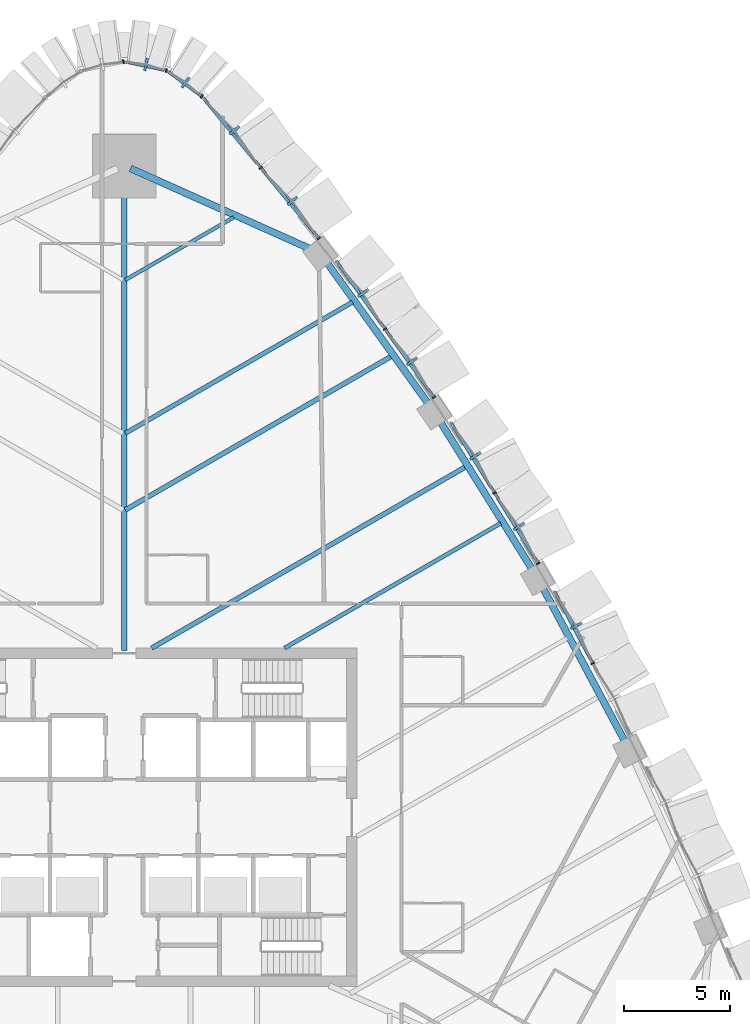
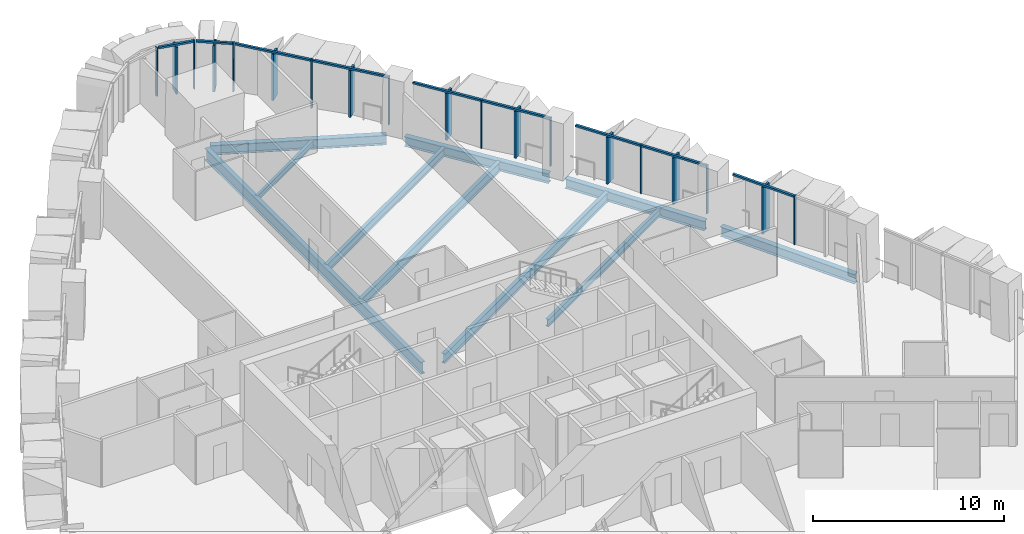
# One storey, part 7 of 22: 28 members, 10 beams, 7 elements without a shape of their own.
"""IFC4 building model written with IfcOpenShell, lengths in metres."""

from ifc_helpers import new_model, si_unit, direction, frame, origin, origin_2d, place, context, subcontext, project, spatial, rectangle, i_section, extrude, material, layer, layer_set, material_profile, profile_set, type_object, element, aggregate, save


model = new_model("IFC4")

# Units and contexts
model_context = context("Model", 3, precision=1e-05, world=origin(), true_north=direction((0.0, 1.0)))
body_context = subcontext(model_context, "Body", "Model", "MODEL_VIEW")
ifc_project = project(units=[si_unit("LENGTHUNIT", "METRE"), si_unit("AREAUNIT", "SQUARE_METRE"), si_unit("VOLUMEUNIT", "CUBIC_METRE"), si_unit("PLANEANGLEUNIT", "RADIAN"), si_unit("MASSUNIT", "GRAM", prefix="KILO")], contexts=[model_context])

# Site, building, storey
site_placement = place(None, origin())
site = spatial("IfcSite", under=ifc_project, at=site_placement, CompositionType="ELEMENT")
building_placement = place(site_placement, origin())
building = spatial("IfcBuilding", under=site, at=building_placement, Name="Sierra Prisma Convention Tower", CompositionType="ELEMENT")
storey_placement = place(building_placement, frame((0.0, 0.0, 66.5)))
storey = spatial("IfcBuildingStorey", under=building, at=storey_placement, Name="L12", CompositionType="ELEMENT", Elevation=66.5)

# Curtain wall, member
ifc_material_1 = material(Name="Aluminium and glass curtain wall", Category="aluminium")
ifc_layer = layer(ifc_material_1, 0.179931640625)
ifc_layer_set = layer_set([ifc_layer], Name="CW-2 Faceted crystal curtain wall")
curtain_wall_type = type_object("IfcCurtainWallType", Name="CW-2 Faceted crystal curtain wall", PredefinedType="NOTDEFINED", material=ifc_layer_set)
curtain_wall_1_placement = place(storey_placement, origin())
curtain_wall_1 = element("IfcCurtainWall", 1, at=curtain_wall_1_placement, inside=storey, type_object=curtain_wall_type, Name="CW-2 NE3 L12", PredefinedType="NOTDEFINED")
ifc_material_2 = material(Name="Aluminium 6063-T6 bronze anodised", Category="aluminium")
ifc_material_profile_1 = material_profile(ifc_material_2, rectangle(XDim=0.1201171875, YDim=0.60009765625, at=origin_2d()), Name="ALU RIDGE BLADE 120x600")
ifc_profile_set_1 = profile_set([ifc_material_profile_1], Name="Aluminium 6063-T6 bronze anodised")
member_type_1 = type_object("IfcMemberType", Name="CW hip bronze", PredefinedType="MULLION", material=ifc_profile_set_1)
member_1_placement = place(storey_placement, frame((21.37060546875, 9.052490234375, 0.0), z_axis=(0.0, 0.0, 1.0), x_axis=(-0.469078880468, 0.88315627377, 0.0)))
member_1 = element("IfcMember", 2, at=member_1_placement, type_object=member_type_1, Name="CW-2 ridge NE3.2", PredefinedType="MULLION", context=body_context, shape_type="SweptSolid", body=[
    extrude(rectangle(XDim=0.1201171875, YDim=0.60009765625, at=origin_2d()), origin(), (0.0, 0.0, 1.0), 2.97998046875),
])

# Curtain wall, members
curtain_wall_2_placement = place(storey_placement, origin())
curtain_wall_2 = element("IfcCurtainWall", 3, at=curtain_wall_2_placement, inside=storey, type_object=curtain_wall_type, Name="CW-2 NE4 L12", PredefinedType="NOTDEFINED")
member_2_placement = place(storey_placement, frame((18.6640625, 13.748046875, 0.0), z_axis=(0.0, 0.0, 1.0), x_axis=(-0.526936441893, 0.849904692425, 0.0)))
member_2 = element("IfcMember", 4, at=member_2_placement, type_object=member_type_1, Name="CW-2 ridge NE4.1", PredefinedType="MULLION", context=body_context, shape_type="SweptSolid", body=[
    extrude(rectangle(XDim=0.1201171875, YDim=0.60009765625, at=origin_2d()), origin(), (0.0, 0.0, 1.0), 2.97998046875),
])
member_3_placement = place(storey_placement, frame((16.597412109375, 17.081298828125, 0.0), z_axis=(0.0, 0.0, 1.0), x_axis=(-0.526936441893, 0.849904692425, 0.0)))
member_3 = element("IfcMember", 5, at=member_3_placement, type_object=member_type_1, Name="CW-2 ridge NE4.2", PredefinedType="MULLION", context=body_context, shape_type="SweptSolid", body=[
    extrude(rectangle(XDim=0.1201171875, YDim=0.60009765625, at=origin_2d()), origin(), (0.0, 0.0, 1.0), 2.97998046875),
])

curtain_wall_3_placement = place(storey_placement, origin())
curtain_wall_3 = element("IfcCurtainWall", 6, at=curtain_wall_3_placement, inside=storey, type_object=curtain_wall_type, Name="CW-2 NE5 L12", PredefinedType="NOTDEFINED")
member_4_placement = place(storey_placement, frame((13.60693359375, 21.5556640625, 0.0), z_axis=(0.0, 0.0, 1.0), x_axis=(-0.582447468357, 0.812868345185, 0.0)))
member_4 = element("IfcMember", 7, at=member_4_placement, type_object=member_type_1, Name="CW-2 ridge NE5.1", PredefinedType="MULLION", context=body_context, shape_type="SweptSolid", body=[
    extrude(rectangle(XDim=0.1201171875, YDim=0.60009765625, at=origin_2d()), origin(), (0.0, 0.0, 1.0), 2.97998046875),
])
member_5_placement = place(storey_placement, frame((11.29541015625, 24.78173828125, 0.0), z_axis=(0.0, 0.0, 1.0), x_axis=(-0.582447468357, 0.812868345185, 0.0)))
member_5 = element("IfcMember", 8, at=member_5_placement, type_object=member_type_1, Name="CW-2 ridge NE5.2", PredefinedType="MULLION", context=body_context, shape_type="SweptSolid", body=[
    extrude(rectangle(XDim=0.1201171875, YDim=0.60009765625, at=origin_2d()), origin(), (0.0, 0.0, 1.0), 2.97998046875),
])

curtain_wall_4_placement = place(storey_placement, origin())
curtain_wall_4 = element("IfcCurtainWall", 9, at=curtain_wall_4_placement, inside=storey, type_object=curtain_wall_type, Name="CW-2 NE6 L12", PredefinedType="NOTDEFINED")
member_6_placement = place(storey_placement, frame((7.956787109375, 29.136474609375, 0.0), z_axis=(0.0, 0.0, 1.0), x_axis=(-0.635364760097, 0.77221216102, 0.0)))
member_6 = element("IfcMember", 10, at=member_6_placement, type_object=member_type_1, Name="CW-2 ridge NE6.1", PredefinedType="MULLION", context=body_context, shape_type="SweptSolid", body=[
    extrude(rectangle(XDim=0.1201171875, YDim=0.60009765625, at=origin_2d()), origin(), (0.0, 0.0, 1.0), 2.97998046875),
])
member_7_placement = place(storey_placement, frame((5.215576171875, 32.468017578125, 0.0), z_axis=(0.0, 0.0, 1.0), x_axis=(-0.635364760097, 0.77221216102, 0.0)))
member_7 = element("IfcMember", 11, at=member_7_placement, type_object=member_type_1, Name="CW-2 ridge NE6.2", PredefinedType="MULLION", context=body_context, shape_type="SweptSolid", body=[
    extrude(rectangle(XDim=0.1201171875, YDim=0.60009765625, at=origin_2d()), origin(), (0.0, 0.0, 1.0), 2.97998046875),
])

# Curtain wall, member
curtain_wall_5_placement = place(storey_placement, origin())
curtain_wall_5 = element("IfcCurtainWall", 12, at=curtain_wall_5_placement, inside=storey, type_object=curtain_wall_type, Name="CW-2 N1 L12", PredefinedType="NOTDEFINED")
member_8_placement = place(storey_placement, frame((2.905517578125, 34.732177734375, 0.0), z_axis=(0.0, 0.0, 1.0), x_axis=(-0.804057675414, 0.594551305277, 0.0)))
member_8 = element("IfcMember", 13, at=member_8_placement, type_object=member_type_1, Name="CW-2 ridge N1.1", PredefinedType="MULLION", context=body_context, shape_type="SweptSolid", body=[
    extrude(rectangle(XDim=0.1201171875, YDim=0.60009765625, at=origin_2d()), origin(), (0.0, 0.0, 1.0), 2.97998046875),
])

curtain_wall_6_placement = place(storey_placement, origin())
curtain_wall_6 = element("IfcCurtainWall", 14, at=curtain_wall_6_placement, inside=storey, type_object=curtain_wall_type, Name="CW-2 N2 L12", PredefinedType="NOTDEFINED")
member_9_placement = place(storey_placement, frame((1.029541015625, 35.580078125, 0.0), z_axis=(0.0, 0.0, 1.0), x_axis=(-0.977562389271, 0.210646089646, 0.0)))
member_9 = element("IfcMember", 15, at=member_9_placement, type_object=member_type_1, Name="CW-2 ridge N2.1", PredefinedType="MULLION", context=body_context, shape_type="SweptSolid", body=[
    extrude(rectangle(XDim=0.1201171875, YDim=0.60009765625, at=origin_2d()), origin(), (0.0, 0.0, 1.0), 2.97998046875),
])

# Member
ifc_material_3 = material(Name="Aluminium 6063-T6 bronze anodised", Category="aluminium")
ifc_material_profile_2 = material_profile(ifc_material_3, rectangle(XDim=0.179931640625, YDim=0.070068359375, at=origin_2d()), Name="ALU MULLION 70x180")
ifc_profile_set_2 = profile_set([ifc_material_profile_2], Name="Aluminium 6063-T6 bronze anodised")
member_type_2 = type_object("IfcMemberType", Name="CW mullion bronze", PredefinedType="MULLION", material=ifc_profile_set_2)
member_10_placement = place(storey_placement, frame((22.14404296875, 7.278564453125, 0.0), z_axis=(0.0, 0.0, 1.0), x_axis=(-0.88315627377, -0.469078880468, 0.0)))
member_10 = element("IfcMember", 16, at=member_10_placement, type_object=member_type_2, Name="CW-1 mullion NE3.2", PredefinedType="MULLION", context=body_context, shape_type="SweptSolid", body=[
    extrude(rectangle(XDim=0.179931640625, YDim=0.070068359375, at=origin_2d()), origin(), (0.0, 0.0, 1.0), 3.10009765625),
])

member_11_placement = place(storey_placement, frame((19.568359375, 12.001708984375, 0.0), z_axis=(0.0, 0.0, 1.0), x_axis=(-0.849904692425, -0.526936441893, 0.0)))
member_11 = element("IfcMember", 17, at=member_11_placement, type_object=member_type_2, Name="CW-1 mullion NE4.1", PredefinedType="MULLION", context=body_context, shape_type="SweptSolid", body=[
    extrude(rectangle(XDim=0.179931640625, YDim=0.070068359375, at=origin_2d()), origin(), (0.0, 0.0, 1.0), 3.10009765625),
])

member_12_placement = place(storey_placement, frame((17.501708984375, 15.3349609375, 0.0), z_axis=(0.0, 0.0, 1.0), x_axis=(-0.849904692425, -0.526936441893, 0.0)))
member_12 = element("IfcMember", 18, at=member_12_placement, type_object=member_type_2, Name="CW-1 mullion NE4.2", PredefinedType="MULLION", context=body_context, shape_type="SweptSolid", body=[
    extrude(rectangle(XDim=0.179931640625, YDim=0.070068359375, at=origin_2d()), origin(), (0.0, 0.0, 1.0), 3.10009765625),
])

member_13_placement = place(storey_placement, frame((14.63818359375, 19.853271484375, 0.0), z_axis=(0.0, 0.0, 1.0), x_axis=(-0.812868345185, -0.582447468357, 0.0)))
member_13 = element("IfcMember", 19, at=member_13_placement, type_object=member_type_2, Name="CW-1 mullion NE5.1", PredefinedType="MULLION", context=body_context, shape_type="SweptSolid", body=[
    extrude(rectangle(XDim=0.179931640625, YDim=0.070068359375, at=origin_2d()), origin(), (0.0, 0.0, 1.0), 3.10009765625),
])

member_14_placement = place(storey_placement, frame((12.326416015625, 23.079345703125, 0.0), z_axis=(0.0, 0.0, 1.0), x_axis=(-0.812868345185, -0.582447468357, 0.0)))
member_14 = element("IfcMember", 20, at=member_14_placement, type_object=member_type_2, Name="CW-1 mullion NE5.2", PredefinedType="MULLION", context=body_context, shape_type="SweptSolid", body=[
    extrude(rectangle(XDim=0.179931640625, YDim=0.070068359375, at=origin_2d()), origin(), (0.0, 0.0, 1.0), 3.10009765625),
])

member_15_placement = place(storey_placement, frame((9.1982421875, 27.364501953125, 0.0), z_axis=(0.0, 0.0, 1.0), x_axis=(-0.77221216102, -0.635364760097, 0.0)))
member_15 = element("IfcMember", 21, at=member_15_placement, type_object=member_type_2, Name="CW-1 mullion NE6.1", PredefinedType="MULLION", context=body_context, shape_type="SweptSolid", body=[
    extrude(rectangle(XDim=0.179931640625, YDim=0.070068359375, at=origin_2d()), origin(), (0.0, 0.0, 1.0), 3.10009765625),
])

member_16_placement = place(storey_placement, frame((6.457275390625, 30.696044921875, 0.0), z_axis=(0.0, 0.0, 1.0), x_axis=(-0.77221216102, -0.635364760097, 0.0)))
member_16 = element("IfcMember", 22, at=member_16_placement, type_object=member_type_2, Name="CW-1 mullion NE6.2", PredefinedType="MULLION", context=body_context, shape_type="SweptSolid", body=[
    extrude(rectangle(XDim=0.179931640625, YDim=0.070068359375, at=origin_2d()), origin(), (0.0, 0.0, 1.0), 3.10009765625),
])

member_17_placement = place(storey_placement, frame((3.665771484375, 34.075439453125, 0.0), z_axis=(0.0, 0.0, 1.0), x_axis=(-0.594551305277, -0.804057675414, 0.0)))
member_17 = element("IfcMember", 23, at=member_17_placement, type_object=member_type_2, Name="CW-1 mullion N1.1", PredefinedType="MULLION", context=body_context, shape_type="SweptSolid", body=[
    extrude(rectangle(XDim=0.179931640625, YDim=0.070068359375, at=origin_2d()), origin(), (0.0, 0.0, 1.0), 3.10009765625),
])

member_18_placement = place(storey_placement, frame((1.99267578125, 35.294677734375, 0.0), z_axis=(0.0, 0.0, 1.0), x_axis=(-0.210646089646, -0.977562389271, 0.0)))
member_18 = element("IfcMember", 24, at=member_18_placement, type_object=member_type_2, Name="CW-1 mullion N2.1", PredefinedType="MULLION", context=body_context, shape_type="SweptSolid", body=[
    extrude(rectangle(XDim=0.179931640625, YDim=0.070068359375, at=origin_2d()), origin(), (0.0, 0.0, 1.0), 3.10009765625),
])

# Curtain wall, member
curtain_wall_7_placement = place(storey_placement, origin())
curtain_wall_7 = element("IfcCurtainWall", 25, at=curtain_wall_7_placement, inside=storey, type_object=curtain_wall_type, Name="CW-2 N3 L12", PredefinedType="NOTDEFINED")
member_19_placement = place(storey_placement, frame((-0.0341796875, 35.716552734375, 0.0), z_axis=(0.0, 0.0, 1.0), x_axis=(0.210646089646, -0.977562389271, 0.0)))
member_19 = element("IfcMember", 26, at=member_19_placement, type_object=member_type_2, Name="CW-1 mullion N3.1", PredefinedType="MULLION", context=body_context, shape_type="SweptSolid", body=[
    extrude(rectangle(XDim=0.179931640625, YDim=0.070068359375, at=origin_2d()), origin(), (0.0, 0.0, 1.0), 3.10009765625),
])
aggregate(curtain_wall_7, [member_19])

# Member
ifc_material_4 = material(Name="Aluminium 6063-T6 bronze anodised", Category="aluminium")
ifc_material_profile_3 = material_profile(ifc_material_4, rectangle(XDim=0.139892578125, YDim=0.1201171875, at=origin_2d()), Name="ALU TRANSOM 120x140")
ifc_profile_set_3 = profile_set([ifc_material_profile_3], Name="Aluminium 6063-T6 bronze anodised")
member_type_3 = type_object("IfcMemberType", Name="CW transom bronze", PredefinedType="USERDEFINED", material=ifc_profile_set_3)
member_20_placement = place(storey_placement, frame((22.127685546875, 7.3095703125, 3.0400390625), z_axis=(-0.46906570314, 0.883163272639, 0.0), x_axis=(-0.883163272639, -0.46906570314, 0.0)))
member_20 = element("IfcMember", 27, at=member_20_placement, type_object=member_type_3, Name="CW-1 transom NE3.2", ObjectType="TRANSOM", PredefinedType="USERDEFINED", context=body_context, shape_type="SweptSolid", body=[
    extrude(rectangle(XDim=0.139892578125, YDim=0.1201171875, at=origin_2d()), origin(), (0.0, 0.0, 1.0), 3.78857421875),
])

aggregate(curtain_wall_1, [member_10, member_20, member_1])

member_21_placement = place(storey_placement, frame((19.550048828125, 12.031494140625, 3.0400390625), z_axis=(-0.526958897626, 0.849890769577, 0.0), x_axis=(-0.849890769577, -0.526958897626, 0.0)))
member_21 = element("IfcMember", 28, at=member_21_placement, type_object=member_type_3, Name="CW-1 transom NE4.1", ObjectType="TRANSOM", PredefinedType="USERDEFINED", context=body_context, shape_type="SweptSolid", body=[
    extrude(rectangle(XDim=0.139892578125, YDim=0.1201171875, at=origin_2d()), origin(), (0.0, 0.0, 1.0), 3.851806640625),
])

member_22_placement = place(storey_placement, frame((17.4833984375, 15.36474609375, 3.0400390625), z_axis=(-0.526958897626, 0.849890769577, 0.0), x_axis=(-0.849890769577, -0.526958897626, 0.0)))
member_22 = element("IfcMember", 29, at=member_22_placement, type_object=member_type_3, Name="CW-1 transom NE4.2", ObjectType="TRANSOM", PredefinedType="USERDEFINED", context=body_context, shape_type="SweptSolid", body=[
    extrude(rectangle(XDim=0.139892578125, YDim=0.1201171875, at=origin_2d()), origin(), (0.0, 0.0, 1.0), 3.851806640625),
])

aggregate(curtain_wall_2, [member_11, member_12, member_21, member_2, member_22, member_3])

member_23_placement = place(storey_placement, frame((14.61767578125, 19.8818359375, 3.0400390625), z_axis=(-0.582434126371, 0.812877905001, 0.0), x_axis=(-0.812877905001, -0.582434126371, 0.0)))
member_23 = element("IfcMember", 30, at=member_23_placement, type_object=member_type_3, Name="CW-1 transom NE5.1", ObjectType="TRANSOM", PredefinedType="USERDEFINED", context=body_context, shape_type="SweptSolid", body=[
    extrude(rectangle(XDim=0.139892578125, YDim=0.1201171875, at=origin_2d()), origin(), (0.0, 0.0, 1.0), 3.898681640625),
])

member_24_placement = place(storey_placement, frame((12.30615234375, 23.10791015625, 3.0400390625), z_axis=(-0.582463775076, 0.812856660626, 0.0), x_axis=(-0.812856660626, -0.582463775076, 0.0)))
member_24 = element("IfcMember", 31, at=member_24_placement, type_object=member_type_3, Name="CW-1 transom NE5.2", ObjectType="TRANSOM", PredefinedType="USERDEFINED", context=body_context, shape_type="SweptSolid", body=[
    extrude(rectangle(XDim=0.139892578125, YDim=0.1201171875, at=origin_2d()), origin(), (0.0, 0.0, 1.0), 3.8984375),
])

aggregate(curtain_wall_3, [member_13, member_14, member_23, member_4, member_24, member_5])

member_25_placement = place(storey_placement, frame((9.176025390625, 27.3916015625, 3.0400390625), z_axis=(-0.635362395938, 0.772214106209, 0.0), x_axis=(-0.772214106209, -0.635362395938, 0.0)))
member_25 = element("IfcMember", 32, at=member_25_placement, type_object=member_type_3, Name="CW-1 transom NE6.1", ObjectType="TRANSOM", PredefinedType="USERDEFINED", context=body_context, shape_type="SweptSolid", body=[
    extrude(rectangle(XDim=0.139892578125, YDim=0.1201171875, at=origin_2d()), origin(), (0.0, 0.0, 1.0), 4.244140625),
])

member_26_placement = place(storey_placement, frame((6.43505859375, 30.72314453125, 3.0400390625), z_axis=(-0.635362395938, 0.772214106209, 0.0), x_axis=(-0.772214106209, -0.635362395938, 0.0)))
member_26 = element("IfcMember", 33, at=member_26_placement, type_object=member_type_3, Name="CW-1 transom NE6.2", ObjectType="TRANSOM", PredefinedType="USERDEFINED", context=body_context, shape_type="SweptSolid", body=[
    extrude(rectangle(XDim=0.139892578125, YDim=0.1201171875, at=origin_2d()), origin(), (0.0, 0.0, 1.0), 4.244140625),
])

aggregate(curtain_wall_4, [member_15, member_16, member_25, member_6, member_26, member_7])

member_27_placement = place(storey_placement, frame((3.6376953125, 34.09619140625, 3.0400390625), z_axis=(-0.804102656516, 0.594490469044, 0.0), x_axis=(-0.594490469044, -0.804102656516, 0.0)))
member_27 = element("IfcMember", 34, at=member_27_placement, type_object=member_type_3, Name="CW-1 transom N1.1", ObjectType="TRANSOM", PredefinedType="USERDEFINED", context=body_context, shape_type="SweptSolid", body=[
    extrude(rectangle(XDim=0.139892578125, YDim=0.1201171875, at=origin_2d()), origin(), (0.0, 0.0, 1.0), 1.933349609375),
])

aggregate(curtain_wall_5, [member_17, member_27, member_8])

member_28_placement = place(storey_placement, frame((1.95849609375, 35.302001953125, 3.0400390625), z_axis=(-0.977568984031, 0.21061548248, 0.0), x_axis=(-0.21061548248, -0.977568984031, 0.0)))
member_28 = element("IfcMember", 35, at=member_28_placement, type_object=member_type_3, Name="CW-1 transom N2.1", ObjectType="TRANSOM", PredefinedType="USERDEFINED", context=body_context, shape_type="SweptSolid", body=[
    extrude(rectangle(XDim=0.139892578125, YDim=0.1201171875, at=origin_2d()), origin(), (0.0, 0.0, 1.0), 1.93359375),
])

aggregate(curtain_wall_6, [member_18, member_28, member_9])

# Beams
ifc_material_5 = material(Name="Steel ASTM A992 Gr 50", Category="steel")
ifc_material_profile_4 = material_profile(ifc_material_5, i_section(OverallWidth=0.172119140625, OverallDepth=0.35791015625, WebThickness=0.0078125, FlangeThickness=0.01318359375, at=origin_2d()), Name="W360x57")
ifc_profile_set_4 = profile_set([ifc_material_profile_4], Name="Steel ASTM A992 Gr 50")
beam_type_1 = type_object("IfcBeamType", Name="Floor joist W360x57", PredefinedType="JOIST", material=ifc_profile_set_4)
beam_1_placement = place(storey_placement, frame((5.172119140625, 28.35302734375, -0.3291015625), z_axis=(-0.866023265602, -0.500003703423, 0.0), x_axis=(0.500003703423, -0.866023265602, 0.0)))
element("IfcBeam", 36, at=beam_1_placement, inside=storey, type_object=beam_type_1, Name="Floor joist L12 NE16", PredefinedType="JOIST", context=body_context, shape_type="SweptSolid", body=[
    extrude(i_section(OverallWidth=0.172119140625, OverallDepth=0.35791015625, WebThickness=0.0078125, FlangeThickness=0.01318359375, at=origin_2d()), origin(), (0.0, 0.0, 1.0), 5.9111328125),
])
ifc_material_6 = material(Name="Steel ASTM A992 Gr 50", Category="steel")
ifc_material_profile_5 = material_profile(ifc_material_6, i_section(OverallWidth=0.18994140625, OverallDepth=0.45703125, WebThickness=0.009033203125, FlangeThickness=0.014404296875, at=origin_2d()), Name="W460x74")
ifc_profile_set_5 = profile_set([ifc_material_profile_5], Name="Steel ASTM A992 Gr 50")
beam_type_2 = type_object("IfcBeamType", Name="Floor joist W460x74", PredefinedType="JOIST", material=ifc_profile_set_5)
beam_2_placement = place(storey_placement, frame((17.794677734375, 13.8974609375, -0.37841796875), z_axis=(-0.866028408645, -0.499994795393, 0.0), x_axis=(0.499994795393, -0.866028408645, 0.0)))
element("IfcBeam", 37, at=beam_2_placement, inside=storey, type_object=beam_type_2, Name="Floor joist L12 NE10", PredefinedType="JOIST", context=body_context, shape_type="SweptSolid", body=[
    extrude(i_section(OverallWidth=0.18994140625, OverallDepth=0.45703125, WebThickness=0.009033203125, FlangeThickness=0.014404296875, at=origin_2d()), origin(), (0.0, 0.0, 1.0), 11.795166015625),
])
ifc_material_7 = material(Name="Steel ASTM A992 Gr 50", Category="steel")
ifc_material_profile_6 = material_profile(ifc_material_7, i_section(OverallWidth=0.208984375, OverallDepth=0.532958984375, WebThickness=0.01025390625, FlangeThickness=0.015625, at=origin_2d()), Name="W530x92")
ifc_profile_set_6 = profile_set([ifc_material_profile_6], Name="Steel ASTM A992 Gr 50")
beam_type_3 = type_object("IfcBeamType", Name="Floor joist W530x92", PredefinedType="JOIST", material=ifc_profile_set_6)
beam_3_placement = place(storey_placement, frame((10.787109375, 24.34716796875, -0.41650390625), z_axis=(-0.866019939033, -0.500009465107, 0.0), x_axis=(0.500009465107, -0.866019939033, 0.0)))
element("IfcBeam", 38, at=beam_3_placement, inside=storey, type_object=beam_type_3, Name="Floor joist L12 NE14", PredefinedType="JOIST", context=body_context, shape_type="SweptSolid", body=[
    extrude(i_section(OverallWidth=0.208984375, OverallDepth=0.532958984375, WebThickness=0.01025390625, FlangeThickness=0.015625, at=origin_2d()), origin(), (0.0, 0.0, 1.0), 12.394775390625),
])
ifc_material_8 = material(Name="Steel ASTM A992 Gr 50", Category="steel")
ifc_material_profile_7 = material_profile(ifc_material_8, i_section(OverallWidth=0.22802734375, OverallDepth=0.60302734375, WebThickness=0.010498046875, FlangeThickness=0.014892578125, at=origin_2d()), Name="W610x101")
ifc_profile_set_7 = profile_set([ifc_material_profile_7], Name="Steel ASTM A992 Gr 50")
beam_type_4 = type_object("IfcBeamType", Name="Floor joist W610x101", PredefinedType="JOIST", material=ifc_profile_set_7)
beam_4_placement = place(storey_placement, frame((16.1357421875, 16.5634765625, -0.451416015625), z_axis=(-0.866031055181, -0.499990211366, 0.0), x_axis=(0.499990211366, -0.866031055181, 0.0)))
element("IfcBeam", 39, at=beam_4_placement, inside=storey, type_object=beam_type_4, Name="Floor joist L12 NE11", PredefinedType="JOIST", context=body_context, shape_type="SweptSolid", body=[
    extrude(i_section(OverallWidth=0.22802734375, OverallDepth=0.60302734375, WebThickness=0.010498046875, FlangeThickness=0.014892578125, at=origin_2d()), origin(), (0.0, 0.0, 1.0), 17.127197265625),
])
beam_5_placement = place(storey_placement, frame((12.626708984375, 21.785400390625, -0.451416015625), z_axis=(-0.866023172537, -0.500003864615, 0.0), x_axis=(0.500003864615, -0.866023172537, 0.0)))
element("IfcBeam", 40, at=beam_5_placement, inside=storey, type_object=beam_type_4, Name="Floor joist L12 NE13", PredefinedType="JOIST", context=body_context, shape_type="SweptSolid", body=[
    extrude(i_section(OverallWidth=0.22802734375, OverallDepth=0.60302734375, WebThickness=0.010498046875, FlangeThickness=0.014892578125, at=origin_2d()), origin(), (0.0, 0.0, 1.0), 14.51904296875),
])
ifc_material_9 = material(Name="Steel ASTM A992 Gr 50", Category="steel")
ifc_material_profile_8 = material_profile(ifc_material_9, i_section(OverallWidth=0.264892578125, OverallDepth=0.7529296875, WebThickness=0.01318359375, FlangeThickness=0.01708984375, at=origin_2d()), Name="W760x147")
ifc_profile_set_8 = profile_set([ifc_material_profile_8], Name="Steel ASTM A992 Gr 50")
beam_type_5 = type_object("IfcBeamType", Name="Radial girder W760x147", PredefinedType="BEAM", material=ifc_profile_set_8)
beam_6_placement = place(storey_placement, frame((0.0, 30.502685546875, -0.526611328125), z_axis=(0.0, -1.0, 0.0), x_axis=(1.0, 0.0, 0.0)))
element("IfcBeam", 41, at=beam_6_placement, inside=storey, type_object=beam_type_5, Name="Radial girder L12 N", PredefinedType="BEAM", context=body_context, shape_type="SweptSolid", body=[
    extrude(i_section(OverallWidth=0.264892578125, OverallDepth=0.7529296875, WebThickness=0.01318359375, FlangeThickness=0.01708984375, at=origin_2d()), origin(), (0.0, 0.0, 1.0), 22.622802734375),
])
ifc_material_10 = material(Name="Steel ASTM A992 Gr 50", Category="steel")
ifc_material_profile_9 = material_profile(ifc_material_10, i_section(OverallWidth=0.324951171875, OverallDepth=0.615966796875, WebThickness=0.013916015625, FlangeThickness=0.021484375, at=origin_2d()), Name="W610x174")
ifc_profile_set_9 = profile_set([ifc_material_profile_9], Name="Steel ASTM A992 Gr 50")
beam_type_6 = type_object("IfcBeamType", Name="Spandrel beam W610x174", PredefinedType="BEAM", material=ifc_profile_set_9)
beam_7_placement = place(storey_placement, frame((23.681396484375, 3.554443359375, -0.4580078125), z_axis=(-0.471103459605, 0.882077961605, 0.0), x_axis=(-0.882077961605, -0.471103459605, 0.0)))
element("IfcBeam", 42, at=beam_7_placement, inside=storey, type_object=beam_type_6, Name="Spandrel L12-09", PredefinedType="BEAM", context=body_context, shape_type="SweptSolid", body=[
    extrude(i_section(OverallWidth=0.324951171875, OverallDepth=0.615966796875, WebThickness=0.013916015625, FlangeThickness=0.021484375, at=origin_2d()), origin(), (0.0, 0.0, 1.0), 8.287109375),
])
beam_8_placement = place(storey_placement, frame((19.29736328125, 11.69580078125, -0.4580078125), z_axis=(-0.528326900752, 0.849041039021, 0.0), x_axis=(-0.849041039021, -0.528326900752, 0.0)))
element("IfcBeam", 43, at=beam_8_placement, inside=storey, type_object=beam_type_6, Name="Spandrel L12-10", PredefinedType="BEAM", context=body_context, shape_type="SweptSolid", body=[
    extrude(i_section(OverallWidth=0.324951171875, OverallDepth=0.615966796875, WebThickness=0.013916015625, FlangeThickness=0.021484375, at=origin_2d()), origin(), (0.0, 0.0, 1.0), 8.286865234375),
])
beam_9_placement = place(storey_placement, frame((14.38525390625, 19.529541015625, -0.4580078125), z_axis=(-0.583259619099, 0.812285797444, 0.0), x_axis=(-0.812285797444, -0.583259619099, 0.0)))
element("IfcBeam", 44, at=beam_9_placement, inside=storey, type_object=beam_type_6, Name="Spandrel L12-11", PredefinedType="BEAM", context=body_context, shape_type="SweptSolid", body=[
    extrude(i_section(OverallWidth=0.324951171875, OverallDepth=0.615966796875, WebThickness=0.013916015625, FlangeThickness=0.021484375, at=origin_2d()), origin(), (0.0, 0.0, 1.0), 8.287109375),
])
beam_10_placement = place(storey_placement, frame((8.759033203125, 26.880615234375, -0.4580078125), z_axis=(-0.912684868676, 0.408664080254, 0.0), x_axis=(-0.408664080254, -0.912684868676, 0.0)))
element("IfcBeam", 45, at=beam_10_placement, inside=storey, type_object=beam_type_6, Name="Spandrel L12-12", PredefinedType="BEAM", context=body_context, shape_type="SweptSolid", body=[
    extrude(i_section(OverallWidth=0.324951171875, OverallDepth=0.615966796875, WebThickness=0.013916015625, FlangeThickness=0.021484375, at=origin_2d()), origin(), (0.0, 0.0, 1.0), 9.268310546875),
])

save(model, "model.ifc")
